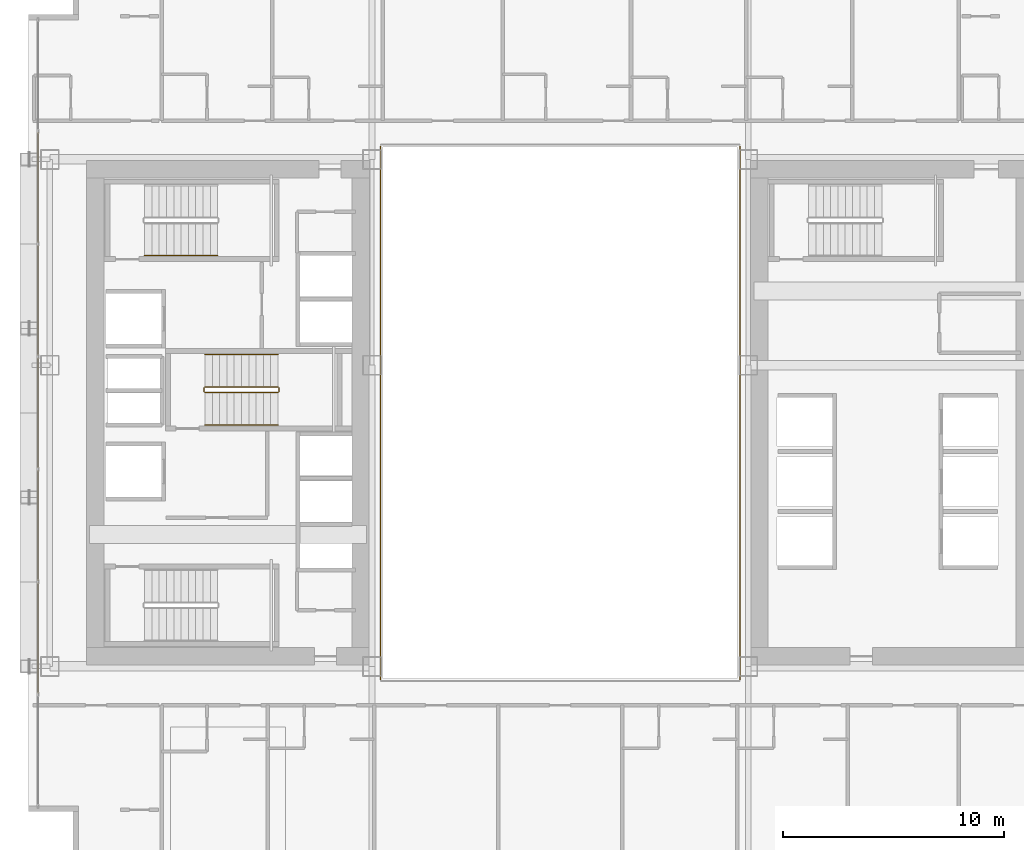
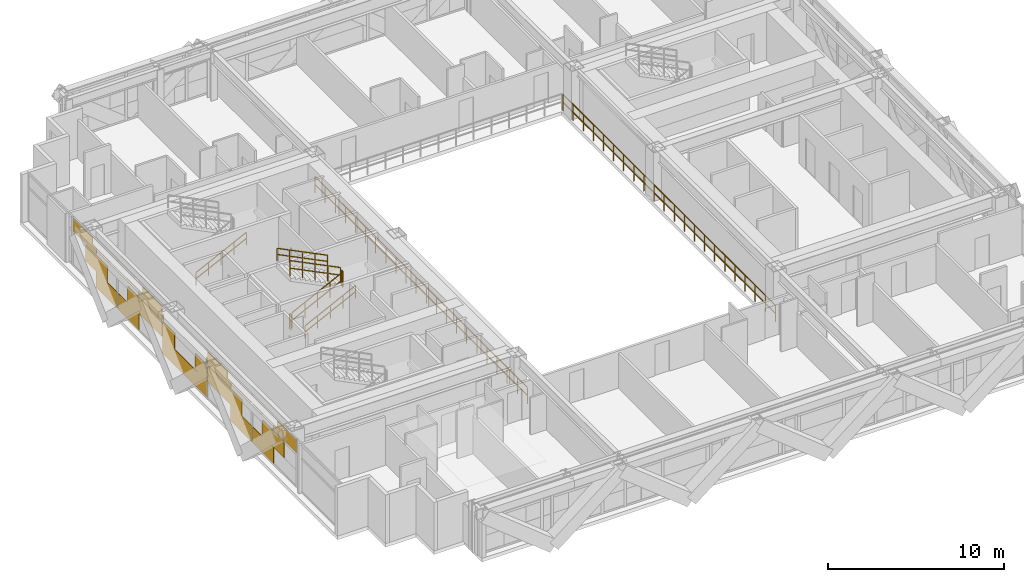
# One storey, part 36 of 38: 9 railings, 1 covering.
"""IFC4 building model written with IfcOpenShell, lengths in metres."""

from ifc_helpers import new_model, si_unit, direction, frame, origin, origin_2d, place, context, subcontext, project, spatial, rectangle, extrude, material, layer, layer_set, type_object, element, save


model = new_model("IFC4")

# Units and contexts
model_context = context("Model", 3, precision=1e-05, world=origin(), true_north=direction((0.0, 1.0)))
body_context = subcontext(model_context, "Body", "Model", "MODEL_VIEW")
ifc_project = project(units=[si_unit("LENGTHUNIT", "METRE"), si_unit("AREAUNIT", "SQUARE_METRE"), si_unit("VOLUMEUNIT", "CUBIC_METRE"), si_unit("PLANEANGLEUNIT", "RADIAN"), si_unit("MASSUNIT", "GRAM", prefix="KILO")], contexts=[model_context])

# Site, building, storey
site_placement = place(None, origin())
site = spatial("IfcSite", under=ifc_project, at=site_placement, CompositionType="ELEMENT")
building_placement = place(site_placement, origin())
building = spatial("IfcBuilding", under=site, at=building_placement, Name="Ocotamira Hotel", CompositionType="ELEMENT")
storey_placement = place(building_placement, frame((0.0, 0.0, 74.39990234375)))
storey = spatial("IfcBuildingStorey", under=building, at=storey_placement, Name="L18", CompositionType="ELEMENT", Elevation=74.39990234375)

# Covering
ifc_material_1 = material(Name="Insulated pale-metal aluminium spandrel panel", Category="aluminium")
ifc_layer = layer(ifc_material_1, 0.044921875)
ifc_layer_set = layer_set([ifc_layer], Name="Insulated pale-metal aluminium spandrel panel")
covering_type = type_object("IfcCoveringType", Name="COV-INFILL-45", PredefinedType="CLADDING", material=ifc_layer_set)
covering_placement = place(storey_placement, origin())
element("IfcCovering", 1, at=covering_placement, inside=storey, type_object=covering_type, Name="L18 Curtain Wall Infill CW-2 CW-L18-W", PredefinedType="CLADDING", context=body_context, shape_type="SweptSolid", body=[
    extrude(rectangle(XDim=2.49658203125, YDim=0.044921875, at=origin_2d()), frame((8.419921875, 15.977783203125, 1.1943359375), z_axis=(0.0, 0.0, 1.0), x_axis=(0.0, 1.0, 0.0)), (0.0, 0.0, 1.0), 1.117919921875),
    extrude(rectangle(XDim=2.415283203125, YDim=0.044921875, at=origin_2d()), frame((8.419921875, 17.123291015625, 0.07568359375), z_axis=(0.0, 0.0, 1.0), x_axis=(0.0, 1.0, 0.0)), (0.0, 0.0, 1.0), 1.117919921875),
    extrude(rectangle(XDim=2.634521484375, YDim=0.044921875, at=origin_2d()), frame((8.419921875, 14.6435546875, 2.38818359375), z_axis=(0.0, 0.0, 1.0), x_axis=(0.0, 1.0, 0.0)), (0.0, 0.0, 1.0), 0.366943359375),
    extrude(rectangle(XDim=5.004638671875, YDim=0.044921875, at=origin_2d()), frame((8.419921875, 15.82861328125, 2.756103515625), z_axis=(0.0, 0.0, 1.0), x_axis=(0.0, 1.0, 0.0)), (0.0, 0.0, 1.0), 0.033203125),
    extrude(rectangle(XDim=2.2080078125, YDim=0.044921875, at=origin_2d()), frame((8.419921875, 14.43017578125, 2.79052734375), z_axis=(0.0, 0.0, 1.0), x_axis=(0.0, 1.0, 0.0)), (0.0, 0.0, 1.0), 0.484130859375),
    extrude(rectangle(XDim=2.40576171875, YDim=0.044921875, at=origin_2d()), frame((8.419921875, 19.61474609375, 0.07568359375), z_axis=(0.0, 0.0, 1.0), x_axis=(0.0, 1.0, 0.0)), (0.0, 0.0, 1.0), 1.117919921875),
    extrude(rectangle(XDim=3.90966796875, YDim=0.044921875, at=origin_2d()), frame((8.419921875, 21.4619140625, 1.1943359375), z_axis=(0.0, 0.0, 1.0), x_axis=(0.0, 1.0, 0.0)), (0.0, 0.0, 1.0), 1.117919921875),
    extrude(rectangle(XDim=5.004638671875, YDim=0.044921875, at=origin_2d()), frame((8.419921875, 20.914306640625, 2.756103515625), z_axis=(0.0, 0.0, 1.0), x_axis=(0.0, 1.0, 0.0)), (0.0, 0.0, 1.0), 0.033203125),
    extrude(rectangle(XDim=2.64404296875, YDim=0.044921875, at=origin_2d()), frame((8.419921875, 22.094482421875, 2.38818359375), z_axis=(0.0, 0.0, 1.0), x_axis=(0.0, 1.0, 0.0)), (0.0, 0.0, 1.0), 0.366943359375),
    extrude(rectangle(XDim=2.217529296875, YDim=0.044921875, at=origin_2d()), frame((8.419921875, 22.307861328125, 2.79052734375), z_axis=(0.0, 0.0, 1.0), x_axis=(0.0, 1.0, 0.0)), (0.0, 0.0, 1.0), 0.484130859375),
    extrude(rectangle(XDim=5.004638671875, YDim=0.044921875, at=origin_2d()), frame((8.419921875, 26.0, 0.07568359375), z_axis=(0.0, 0.0, 1.0), x_axis=(0.0, 1.0, 0.0)), (0.0, 0.0, 1.0), 1.117919921875),
    extrude(rectangle(XDim=1.362060546875, YDim=0.044921875, at=origin_2d()), frame((8.419921875, 24.1787109375, 1.1943359375), z_axis=(0.0, 0.0, 1.0), x_axis=(0.0, 1.0, 0.0)), (0.0, 0.0, 1.0), 1.117919921875),
    extrude(rectangle(XDim=1.362060546875, YDim=0.044921875, at=origin_2d()), frame((8.419921875, 27.8212890625, 1.1943359375), z_axis=(0.0, 0.0, 1.0), x_axis=(0.0, 1.0, 0.0)), (0.0, 0.0, 1.0), 1.117919921875),
    extrude(rectangle(XDim=0.096435546875, YDim=0.044921875, at=origin_2d()), frame((8.419921875, 23.5458984375, 2.387939453125), z_axis=(0.0, 0.0, 1.0), x_axis=(0.0, 1.0, 0.0)), (0.0, 0.0, 1.0), 0.4013671875),
    extrude(rectangle(XDim=0.096435546875, YDim=0.044921875, at=origin_2d()), frame((8.419921875, 28.4541015625, 2.387939453125), z_axis=(0.0, 0.0, 1.0), x_axis=(0.0, 1.0, 0.0)), (0.0, 0.0, 1.0), 0.4013671875),
    extrude(rectangle(XDim=3.90966796875, YDim=0.044921875, at=origin_2d()), frame((8.419921875, 30.5380859375, 1.1943359375), z_axis=(0.0, 0.0, 1.0), x_axis=(0.0, 1.0, 0.0)), (0.0, 0.0, 1.0), 1.117919921875),
    extrude(rectangle(XDim=2.40576171875, YDim=0.044921875, at=origin_2d()), frame((8.419921875, 32.38525390625, 0.07568359375), z_axis=(0.0, 0.0, 1.0), x_axis=(0.0, 1.0, 0.0)), (0.0, 0.0, 1.0), 1.117919921875),
    extrude(rectangle(XDim=2.64404296875, YDim=0.044921875, at=origin_2d()), frame((8.419921875, 29.905517578125, 2.38818359375), z_axis=(0.0, 0.0, 1.0), x_axis=(0.0, 1.0, 0.0)), (0.0, 0.0, 1.0), 0.366943359375),
    extrude(rectangle(XDim=5.004638671875, YDim=0.044921875, at=origin_2d()), frame((8.419921875, 31.085693359375, 2.756103515625), z_axis=(0.0, 0.0, 1.0), x_axis=(0.0, 1.0, 0.0)), (0.0, 0.0, 1.0), 0.033203125),
    extrude(rectangle(XDim=2.217529296875, YDim=0.044921875, at=origin_2d()), frame((8.419921875, 29.692138671875, 2.79052734375), z_axis=(0.0, 0.0, 1.0), x_axis=(0.0, 1.0, 0.0)), (0.0, 0.0, 1.0), 0.484130859375),
    extrude(rectangle(XDim=2.415283203125, YDim=0.044921875, at=origin_2d()), frame((8.419921875, 34.876708984375, 0.07568359375), z_axis=(0.0, 0.0, 1.0), x_axis=(0.0, 1.0, 0.0)), (0.0, 0.0, 1.0), 1.117919921875),
    extrude(rectangle(XDim=2.49658203125, YDim=0.044921875, at=origin_2d()), frame((8.419921875, 36.022216796875, 1.1943359375), z_axis=(0.0, 0.0, 1.0), x_axis=(0.0, 1.0, 0.0)), (0.0, 0.0, 1.0), 1.117919921875),
    extrude(rectangle(XDim=5.004638671875, YDim=0.044921875, at=origin_2d()), frame((8.419921875, 36.17138671875, 2.756103515625), z_axis=(0.0, 0.0, 1.0), x_axis=(0.0, 1.0, 0.0)), (0.0, 0.0, 1.0), 0.033203125),
    extrude(rectangle(XDim=2.634521484375, YDim=0.044921875, at=origin_2d()), frame((8.419921875, 37.3564453125, 2.38818359375), z_axis=(0.0, 0.0, 1.0), x_axis=(0.0, 1.0, 0.0)), (0.0, 0.0, 1.0), 0.366943359375),
    extrude(rectangle(XDim=2.2080078125, YDim=0.044921875, at=origin_2d()), frame((8.419921875, 37.56982421875, 2.79052734375), z_axis=(0.0, 0.0, 1.0), x_axis=(0.0, 1.0, 0.0)), (0.0, 0.0, 1.0), 0.484130859375),
])

# Railings
ifc_material_2 = material(Name="Painted steel stair guardrail", Category="steel")
railing_type_1 = type_object("IfcRailingType", Name="RL-EDGE-1150", PredefinedType="GUARDRAIL", material=ifc_material_2)
railing_1_placement = place(storey_placement, frame((40.1201171875, 13.9599609375, 0.0)))
element("IfcRailing", 2, at=railing_1_placement, inside=storey, type_object=railing_type_1, Name="L18 Central Atrium Edge Guardrail E", PredefinedType="GUARDRAIL", context=body_context, shape_type="SweptSolid", body=[
    extrude(rectangle(XDim=0.048095703125, YDim=0.048095703125, at=origin_2d()), frame((0.0, 0.0, 1.1259765625), z_axis=(0.0, 1.0, 0.0), x_axis=(-1.0, 0.0, 0.0)), (0.0, 0.0, 1.0), 24.080078125),
    extrude(rectangle(XDim=0.048095703125, YDim=0.048095703125, at=origin_2d()), frame((0.0, 0.0, 0.574951171875), z_axis=(0.0, 1.0, 0.0), x_axis=(-1.0, 0.0, 0.0)), (0.0, 0.0, 1.0), 24.080078125),
    extrude(rectangle(XDim=0.0419921875, YDim=0.0419921875, at=origin_2d()), origin(), (0.0, 0.0, 1.0), 1.101806640625),
    extrude(rectangle(XDim=0.0419921875, YDim=0.0419921875, at=origin_2d()), frame((0.0, 1.146728515625, 0.0)), (0.0, 0.0, 1.0), 1.101806640625),
    extrude(rectangle(XDim=0.0419921875, YDim=0.0419921875, at=origin_2d()), frame((0.0, 2.29345703125, 0.0)), (0.0, 0.0, 1.0), 1.101806640625),
    extrude(rectangle(XDim=0.0419921875, YDim=0.0419921875, at=origin_2d()), frame((0.0, 3.43994140625, 0.0)), (0.0, 0.0, 1.0), 1.101806640625),
    extrude(rectangle(XDim=0.0419921875, YDim=0.0419921875, at=origin_2d()), frame((0.0, 4.586669921875, 0.0)), (0.0, 0.0, 1.0), 1.101806640625),
    extrude(rectangle(XDim=0.0419921875, YDim=0.0419921875, at=origin_2d()), frame((0.0, 5.7333984375, 0.0)), (0.0, 0.0, 1.0), 1.101806640625),
    extrude(rectangle(XDim=0.0419921875, YDim=0.0419921875, at=origin_2d()), frame((0.0, 6.880126953125, 0.0)), (0.0, 0.0, 1.0), 1.101806640625),
    extrude(rectangle(XDim=0.0419921875, YDim=0.0419921875, at=origin_2d()), frame((0.0, 8.026611328125, 0.0)), (0.0, 0.0, 1.0), 1.101806640625),
    extrude(rectangle(XDim=0.0419921875, YDim=0.0419921875, at=origin_2d()), frame((0.0, 9.17333984375, 0.0)), (0.0, 0.0, 1.0), 1.101806640625),
    extrude(rectangle(XDim=0.0419921875, YDim=0.0419921875, at=origin_2d()), frame((0.0, 10.320068359375, 0.0)), (0.0, 0.0, 1.0), 1.101806640625),
    extrude(rectangle(XDim=0.0419921875, YDim=0.0419921875, at=origin_2d()), frame((0.0, 11.466796875, 0.0)), (0.0, 0.0, 1.0), 1.101806640625),
    extrude(rectangle(XDim=0.0419921875, YDim=0.0419921875, at=origin_2d()), frame((0.0, 12.61328125, 0.0)), (0.0, 0.0, 1.0), 1.101806640625),
    extrude(rectangle(XDim=0.0419921875, YDim=0.0419921875, at=origin_2d()), frame((0.0, 13.760009765625, 0.0)), (0.0, 0.0, 1.0), 1.101806640625),
    extrude(rectangle(XDim=0.0419921875, YDim=0.0419921875, at=origin_2d()), frame((0.0, 14.90673828125, 0.0)), (0.0, 0.0, 1.0), 1.101806640625),
    extrude(rectangle(XDim=0.0419921875, YDim=0.0419921875, at=origin_2d()), frame((0.0, 16.053466796875, 0.0)), (0.0, 0.0, 1.0), 1.101806640625),
    extrude(rectangle(XDim=0.0419921875, YDim=0.0419921875, at=origin_2d()), frame((0.0, 17.199951171875, 0.0)), (0.0, 0.0, 1.0), 1.101806640625),
    extrude(rectangle(XDim=0.0419921875, YDim=0.0419921875, at=origin_2d()), frame((0.0, 18.3466796875, 0.0)), (0.0, 0.0, 1.0), 1.101806640625),
    extrude(rectangle(XDim=0.0419921875, YDim=0.0419921875, at=origin_2d()), frame((0.0, 19.493408203125, 0.0)), (0.0, 0.0, 1.0), 1.101806640625),
    extrude(rectangle(XDim=0.0419921875, YDim=0.0419921875, at=origin_2d()), frame((0.0, 20.64013671875, 0.0)), (0.0, 0.0, 1.0), 1.101806640625),
    extrude(rectangle(XDim=0.0419921875, YDim=0.0419921875, at=origin_2d()), frame((0.0, 21.78662109375, 0.0)), (0.0, 0.0, 1.0), 1.101806640625),
    extrude(rectangle(XDim=0.0419921875, YDim=0.0419921875, at=origin_2d()), frame((0.0, 22.933349609375, 0.0)), (0.0, 0.0, 1.0), 1.101806640625),
    extrude(rectangle(XDim=0.0419921875, YDim=0.0419921875, at=origin_2d()), frame((0.0, 24.080078125, 0.0)), (0.0, 0.0, 1.0), 1.101806640625),
])
railing_2_placement = place(storey_placement, frame((23.8798828125, 38.0400390625, 0.0)))
element("IfcRailing", 3, at=railing_2_placement, inside=storey, type_object=railing_type_1, Name="L18 Central Atrium Edge Guardrail W", PredefinedType="GUARDRAIL", context=body_context, shape_type="SweptSolid", body=[
    extrude(rectangle(XDim=0.048095703125, YDim=0.048095703125, at=origin_2d()), frame((0.0, 0.0, 1.1259765625), z_axis=(0.0, -1.0, 0.0), x_axis=(1.0, 0.0, 0.0)), (0.0, 0.0, 1.0), 24.080078125),
    extrude(rectangle(XDim=0.048095703125, YDim=0.048095703125, at=origin_2d()), frame((0.0, 0.0, 0.574951171875), z_axis=(0.0, -1.0, 0.0), x_axis=(1.0, 0.0, 0.0)), (0.0, 0.0, 1.0), 24.080078125),
    extrude(rectangle(XDim=0.0419921875, YDim=0.0419921875, at=origin_2d()), origin(), (0.0, 0.0, 1.0), 1.101806640625),
    extrude(rectangle(XDim=0.0419921875, YDim=0.0419921875, at=origin_2d()), frame((0.0, -1.146728515625, 0.0)), (0.0, 0.0, 1.0), 1.101806640625),
    extrude(rectangle(XDim=0.0419921875, YDim=0.0419921875, at=origin_2d()), frame((0.0, -2.29345703125, 0.0)), (0.0, 0.0, 1.0), 1.101806640625),
    extrude(rectangle(XDim=0.0419921875, YDim=0.0419921875, at=origin_2d()), frame((0.0, -3.43994140625, 0.0)), (0.0, 0.0, 1.0), 1.101806640625),
    extrude(rectangle(XDim=0.0419921875, YDim=0.0419921875, at=origin_2d()), frame((0.0, -4.586669921875, 0.0)), (0.0, 0.0, 1.0), 1.101806640625),
    extrude(rectangle(XDim=0.0419921875, YDim=0.0419921875, at=origin_2d()), frame((0.0, -5.7333984375, 0.0)), (0.0, 0.0, 1.0), 1.101806640625),
    extrude(rectangle(XDim=0.0419921875, YDim=0.0419921875, at=origin_2d()), frame((0.0, -6.880126953125, 0.0)), (0.0, 0.0, 1.0), 1.101806640625),
    extrude(rectangle(XDim=0.0419921875, YDim=0.0419921875, at=origin_2d()), frame((0.0, -8.026611328125, 0.0)), (0.0, 0.0, 1.0), 1.101806640625),
    extrude(rectangle(XDim=0.0419921875, YDim=0.0419921875, at=origin_2d()), frame((0.0, -9.17333984375, 0.0)), (0.0, 0.0, 1.0), 1.101806640625),
    extrude(rectangle(XDim=0.0419921875, YDim=0.0419921875, at=origin_2d()), frame((0.0, -10.320068359375, 0.0)), (0.0, 0.0, 1.0), 1.101806640625),
    extrude(rectangle(XDim=0.0419921875, YDim=0.0419921875, at=origin_2d()), frame((0.0, -11.466796875, 0.0)), (0.0, 0.0, 1.0), 1.101806640625),
    extrude(rectangle(XDim=0.0419921875, YDim=0.0419921875, at=origin_2d()), frame((0.0, -12.61328125, 0.0)), (0.0, 0.0, 1.0), 1.101806640625),
    extrude(rectangle(XDim=0.0419921875, YDim=0.0419921875, at=origin_2d()), frame((0.0, -13.760009765625, 0.0)), (0.0, 0.0, 1.0), 1.101806640625),
    extrude(rectangle(XDim=0.0419921875, YDim=0.0419921875, at=origin_2d()), frame((0.0, -14.90673828125, 0.0)), (0.0, 0.0, 1.0), 1.101806640625),
    extrude(rectangle(XDim=0.0419921875, YDim=0.0419921875, at=origin_2d()), frame((0.0, -16.053466796875, 0.0)), (0.0, 0.0, 1.0), 1.101806640625),
    extrude(rectangle(XDim=0.0419921875, YDim=0.0419921875, at=origin_2d()), frame((0.0, -17.199951171875, 0.0)), (0.0, 0.0, 1.0), 1.101806640625),
    extrude(rectangle(XDim=0.0419921875, YDim=0.0419921875, at=origin_2d()), frame((0.0, -18.3466796875, 0.0)), (0.0, 0.0, 1.0), 1.101806640625),
    extrude(rectangle(XDim=0.0419921875, YDim=0.0419921875, at=origin_2d()), frame((0.0, -19.493408203125, 0.0)), (0.0, 0.0, 1.0), 1.101806640625),
    extrude(rectangle(XDim=0.0419921875, YDim=0.0419921875, at=origin_2d()), frame((0.0, -20.64013671875, 0.0)), (0.0, 0.0, 1.0), 1.101806640625),
    extrude(rectangle(XDim=0.0419921875, YDim=0.0419921875, at=origin_2d()), frame((0.0, -21.78662109375, 0.0)), (0.0, 0.0, 1.0), 1.101806640625),
    extrude(rectangle(XDim=0.0419921875, YDim=0.0419921875, at=origin_2d()), frame((0.0, -22.933349609375, 0.0)), (0.0, 0.0, 1.0), 1.101806640625),
    extrude(rectangle(XDim=0.0419921875, YDim=0.0419921875, at=origin_2d()), frame((0.0, -24.080078125, 0.0)), (0.0, 0.0, 1.0), 1.101806640625),
])
ifc_material_3 = material(Name="Brushed stainless steel handrail", Category="steel")
railing_type_2 = type_object("IfcRailingType", Name="RL-HAND-900", PredefinedType="HANDRAIL", material=ifc_material_3)
for number, where, name in (
    (4, (13.22998046875, 33.10009765625, 0.327392578125), "L18 ST-2 stair handrail 1"),
    (5, (15.9599609375, 25.449951171875, 0.327392578125), "L18 ST-3 stair handrail 1"),
):
    element("IfcRailing", number, at=place(storey_placement, frame(where)), inside=storey, type_object=railing_type_2, Name=name, PredefinedType="HANDRAIL", context=body_context, shape_type="SweptSolid", body=[
        extrude(rectangle(XDim=0.048095703125, YDim=0.048095703125, at=origin_2d()), frame((0.0, 0.0, 0.8759765625), z_axis=(0.895920123917, 0.0, 0.444215186098), x_axis=(0.0, 1.0, 0.0)), (0.0, 0.0, 1.0), 3.683349609375),
        extrude(rectangle(XDim=0.048095703125, YDim=0.048095703125, at=origin_2d()), frame((0.0, 0.0, 0.449951171875), z_axis=(0.895920123917, 0.0, 0.444215186098), x_axis=(0.0, 1.0, 0.0)), (0.0, 0.0, 1.0), 3.683349609375),
        extrude(rectangle(XDim=0.0419921875, YDim=0.0419921875, at=origin_2d()), origin(), (0.0, 0.0, 1.0), 0.851806640625),
        extrude(rectangle(XDim=0.0419921875, YDim=0.0419921875, at=origin_2d()), frame((0.824951171875, 0.0, 0.4091796875)), (0.0, 0.0, 1.0), 0.851806640625),
        extrude(rectangle(XDim=0.0419921875, YDim=0.0419921875, at=origin_2d()), frame((1.64990234375, 0.0, 0.818115234375)), (0.0, 0.0, 1.0), 0.851806640625),
        extrude(rectangle(XDim=0.0419921875, YDim=0.0419921875, at=origin_2d()), frame((2.47509765625, 0.0, 1.22705078125)), (0.0, 0.0, 1.0), 0.851806640625),
        extrude(rectangle(XDim=0.0419921875, YDim=0.0419921875, at=origin_2d()), frame((3.300048828125, 0.0, 1.63623046875)), (0.0, 0.0, 1.0), 0.851806640625),
    ])
railing_3_placement = place(storey_placement, frame((19.260009765625, 28.6298828125, 2.12744140625)))
element("IfcRailing", 6, at=railing_3_placement, inside=storey, type_object=railing_type_2, Name="L18 ST-3 stair handrail 2", PredefinedType="HANDRAIL", context=body_context, shape_type="SweptSolid", body=[
    extrude(rectangle(XDim=0.048095703125, YDim=0.048095703125, at=origin_2d()), frame((0.0, 0.0, 0.8759765625), z_axis=(-0.895920123917, 0.0, 0.444215186098), x_axis=(0.0, -1.0, 0.0)), (0.0, 0.0, 1.0), 3.683349609375),
    extrude(rectangle(XDim=0.048095703125, YDim=0.048095703125, at=origin_2d()), frame((0.0, 0.0, 0.449951171875), z_axis=(-0.895920123917, 0.0, 0.444215186098), x_axis=(0.0, -1.0, 0.0)), (0.0, 0.0, 1.0), 3.683349609375),
    extrude(rectangle(XDim=0.0419921875, YDim=0.0419921875, at=origin_2d()), origin(), (0.0, 0.0, 1.0), 0.851806640625),
    extrude(rectangle(XDim=0.0419921875, YDim=0.0419921875, at=origin_2d()), frame((-0.824951171875, 0.0, 0.4091796875)), (0.0, 0.0, 1.0), 0.851806640625),
    extrude(rectangle(XDim=0.0419921875, YDim=0.0419921875, at=origin_2d()), frame((-1.64990234375, 0.0, 0.818115234375)), (0.0, 0.0, 1.0), 0.851806640625),
    extrude(rectangle(XDim=0.0419921875, YDim=0.0419921875, at=origin_2d()), frame((-2.47509765625, 0.0, 1.22705078125)), (0.0, 0.0, 1.0), 0.851806640625),
    extrude(rectangle(XDim=0.0419921875, YDim=0.0419921875, at=origin_2d()), frame((-3.300048828125, 0.0, 1.63623046875)), (0.0, 0.0, 1.0), 0.851806640625),
])
railing_type_3 = type_object("IfcRailingType", Name="RL-STAIR-1100", PredefinedType="GUARDRAIL", material=ifc_material_2)
railing_4_placement = place(storey_placement, frame((15.9599609375, 26.909912109375, 0.163818359375)))
element("IfcRailing", 7, at=railing_4_placement, inside=storey, type_object=railing_type_3, Name="L18 ST-3 stair guard 1", PredefinedType="GUARDRAIL", context=body_context, shape_type="SweptSolid", body=[
    extrude(rectangle(XDim=0.048095703125, YDim=0.048095703125, at=origin_2d()), frame((0.0, 0.0, 1.076171875), z_axis=(0.895920123917, 0.0, 0.444215186098), x_axis=(0.0, 1.0, 0.0)), (0.0, 0.0, 1.0), 3.683349609375),
    extrude(rectangle(XDim=0.048095703125, YDim=0.048095703125, at=origin_2d()), frame((0.0, 0.0, 0.550048828125), z_axis=(0.895920123917, 0.0, 0.444215186098), x_axis=(0.0, 1.0, 0.0)), (0.0, 0.0, 1.0), 3.683349609375),
    extrude(rectangle(XDim=0.0419921875, YDim=0.0419921875, at=origin_2d()), origin(), (0.0, 0.0, 1.0), 1.052001953125),
    extrude(rectangle(XDim=0.0419921875, YDim=0.0419921875, at=origin_2d()), frame((0.824951171875, 0.0, 0.4091796875)), (0.0, 0.0, 1.0), 1.052001953125),
    extrude(rectangle(XDim=0.0419921875, YDim=0.0419921875, at=origin_2d()), frame((1.64990234375, 0.0, 0.818115234375)), (0.0, 0.0, 1.0), 1.052001953125),
    extrude(rectangle(XDim=0.0419921875, YDim=0.0419921875, at=origin_2d()), frame((2.47509765625, 0.0, 1.22705078125)), (0.0, 0.0, 1.0), 1.052001953125),
    extrude(rectangle(XDim=0.0419921875, YDim=0.0419921875, at=origin_2d()), frame((3.300048828125, 0.0, 1.63623046875)), (0.0, 0.0, 1.0), 1.052001953125),
])
railing_5_placement = place(storey_placement, frame((19.31005859375, 26.9599609375, 1.800048828125)))
element("IfcRailing", 8, at=railing_5_placement, inside=storey, type_object=railing_type_3, Name="L18 ST-3 stair guard 2", PredefinedType="GUARDRAIL", context=body_context, shape_type="SweptSolid", body=[
    extrude(rectangle(XDim=0.048095703125, YDim=0.048095703125, at=origin_2d()), frame((0.0, 0.0, 1.076171875), z_axis=(0.0, 1.0, 0.0), x_axis=(-1.0, 0.0, 0.0)), (0.0, 0.0, 1.0), 0.16015625),
    extrude(rectangle(XDim=0.048095703125, YDim=0.048095703125, at=origin_2d()), frame((0.0, 0.0, 0.550048828125), z_axis=(0.0, 1.0, 0.0), x_axis=(-1.0, 0.0, 0.0)), (0.0, 0.0, 1.0), 0.16015625),
    extrude(rectangle(XDim=0.0419921875, YDim=0.0419921875, at=origin_2d()), origin(), (0.0, 0.0, 1.0), 1.052001953125),
    extrude(rectangle(XDim=0.0419921875, YDim=0.0419921875, at=origin_2d()), frame((0.0, 0.16015625, 0.0)), (0.0, 0.0, 1.0), 1.052001953125),
])
railing_6_placement = place(storey_placement, frame((19.260009765625, 27.169921875, 1.963623046875)))
element("IfcRailing", 9, at=railing_6_placement, inside=storey, type_object=railing_type_3, Name="L18 ST-3 stair guard 3", PredefinedType="GUARDRAIL", context=body_context, shape_type="SweptSolid", body=[
    extrude(rectangle(XDim=0.048095703125, YDim=0.048095703125, at=origin_2d()), frame((0.0, 0.0, 1.076171875), z_axis=(-0.895893744519, 0.0, 0.4442683857), x_axis=(0.0, -1.0, 0.0)), (0.0, 0.0, 1.0), 3.68359375),
    extrude(rectangle(XDim=0.048095703125, YDim=0.048095703125, at=origin_2d()), frame((0.0, 0.0, 0.550048828125), z_axis=(-0.895893744519, 0.0, 0.4442683857), x_axis=(0.0, -1.0, 0.0)), (0.0, 0.0, 1.0), 3.68359375),
    extrude(rectangle(XDim=0.0419921875, YDim=0.0419921875, at=origin_2d()), origin(), (0.0, 0.0, 1.0), 1.052001953125),
    extrude(rectangle(XDim=0.0419921875, YDim=0.0419921875, at=origin_2d()), frame((-0.824951171875, 0.0, 0.4091796875)), (0.0, 0.0, 1.0), 1.052001953125),
    extrude(rectangle(XDim=0.0419921875, YDim=0.0419921875, at=origin_2d()), frame((-1.64990234375, 0.0, 0.818359375)), (0.0, 0.0, 1.0), 1.052001953125),
    extrude(rectangle(XDim=0.0419921875, YDim=0.0419921875, at=origin_2d()), frame((-2.47509765625, 0.0, 1.227294921875)), (0.0, 0.0, 1.0), 1.052001953125),
    extrude(rectangle(XDim=0.0419921875, YDim=0.0419921875, at=origin_2d()), frame((-3.300048828125, 0.0, 1.636474609375)), (0.0, 0.0, 1.0), 1.052001953125),
])
railing_7_placement = place(storey_placement, frame((15.909912109375, 26.9599609375, 0.0)))
element("IfcRailing", 10, at=railing_7_placement, inside=storey, type_object=railing_type_3, Name="L18 ST-3 stair guard 4", PredefinedType="GUARDRAIL", context=body_context, shape_type="SweptSolid", body=[
    extrude(rectangle(XDim=0.048095703125, YDim=0.048095703125, at=origin_2d()), frame((0.0, 0.0, 1.076171875), z_axis=(0.0, 1.0, 0.0), x_axis=(-1.0, 0.0, 0.0)), (0.0, 0.0, 1.0), 0.16015625),
    extrude(rectangle(XDim=0.048095703125, YDim=0.048095703125, at=origin_2d()), frame((0.0, 0.0, 0.550048828125), z_axis=(0.0, 1.0, 0.0), x_axis=(-1.0, 0.0, 0.0)), (0.0, 0.0, 1.0), 0.16015625),
    extrude(rectangle(XDim=0.0419921875, YDim=0.0419921875, at=origin_2d()), origin(), (0.0, 0.0, 1.0), 1.052001953125),
    extrude(rectangle(XDim=0.0419921875, YDim=0.0419921875, at=origin_2d()), frame((0.0, 0.16015625, 0.0)), (0.0, 0.0, 1.0), 1.052001953125),
])

save(model, "model.ifc")
